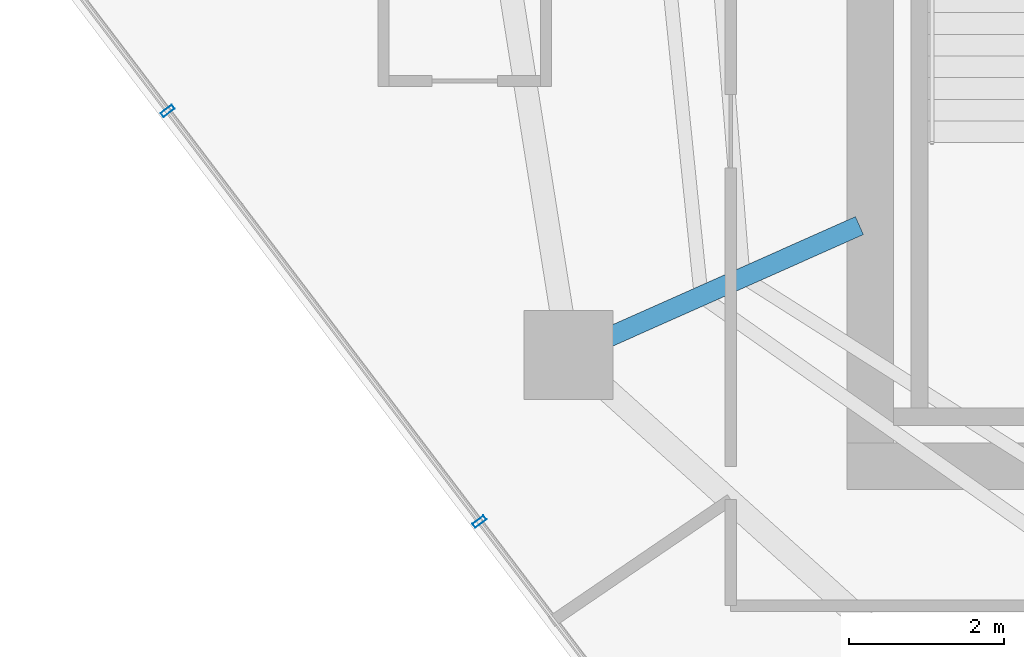
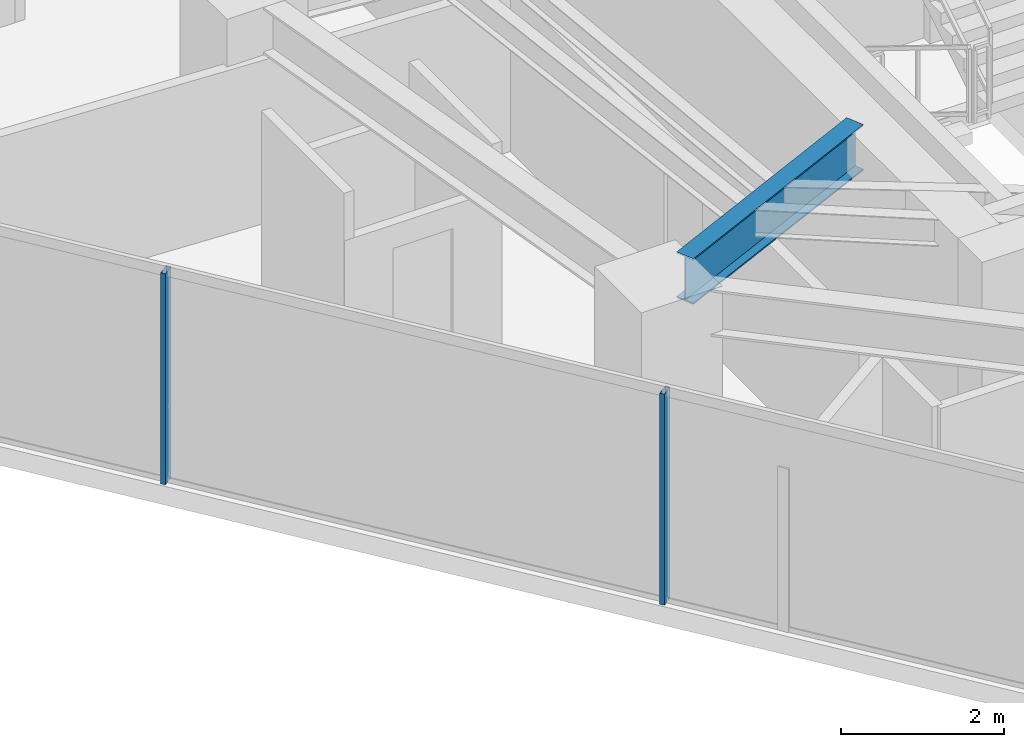
# One storey, part 7 of 30: 2 members, 1 beam, 1 element without a shape of its own.
"""IFC4 building model written with IfcOpenShell, lengths in metres."""

from ifc_helpers import new_model, si_unit, direction, frame, origin, origin_2d, place, context, subcontext, project, spatial, hollow_rectangle, i_section, extrude, material, layer, layer_set, material_profile, profile_set, type_object, element, aggregate, save


model = new_model("IFC4")

# Units and contexts
model_context = context("Model", 3, precision=1e-05, world=origin(), true_north=direction((0.0, 1.0)))
body_context = subcontext(model_context, "Body", "Model", "MODEL_VIEW")
ifc_project = project(units=[si_unit("LENGTHUNIT", "METRE"), si_unit("AREAUNIT", "SQUARE_METRE"), si_unit("VOLUMEUNIT", "CUBIC_METRE"), si_unit("PLANEANGLEUNIT", "RADIAN"), si_unit("MASSUNIT", "GRAM", prefix="KILO")], contexts=[model_context])

# Site, building, storey
site_placement = place(None, origin())
site = spatial("IfcSite", under=ifc_project, at=site_placement, CompositionType="ELEMENT")
building_placement = place(site_placement, origin())
building = spatial("IfcBuilding", under=site, at=building_placement, Name="Qarnah Convention Tower", CompositionType="ELEMENT")
storey_placement = place(building_placement, frame((0.0, 0.0, 93.60009765625)))
storey = spatial("IfcBuildingStorey", under=building, at=storey_placement, Name="L24", CompositionType="ELEMENT", Elevation=93.60009765625)

# Beam
ifc_material_1 = material(Name="Structural steel S355JR", Category="steel")
ifc_material_profile_1 = material_profile(ifc_material_1, i_section(OverallWidth=0.25390625, OverallDepth=0.68798828125, WebThickness=0.012939453125, FlangeThickness=0.02099609375, at=origin_2d()), Name="W690X152")
ifc_profile_set_1 = profile_set([ifc_material_profile_1], Name="Structural steel S355JR")
beam_type = type_object("IfcBeamType", Name="BM-RAD-W690", PredefinedType="BEAM", material=ifc_profile_set_1)
beam_placement = place(storey_placement, frame((26.6630859375, 21.708984375, 2.825927734375), z_axis=(-0.913588053958, -0.4066409567, 0.0), x_axis=(0.4066409567, -0.913588053958, 0.0)))
element("IfcBeam", 1, at=beam_placement, inside=storey, type_object=beam_type, Name="L24 beam BM-L24-RAD-06", PredefinedType="BEAM", context=body_context, shape_type="SweptSolid", body=[
    extrude(i_section(OverallWidth=0.25390625, OverallDepth=0.68798828125, WebThickness=0.012939453125, FlangeThickness=0.02099609375, at=origin_2d()), origin(), (0.0, 0.0, 1.0), 3.560791015625),
])

# Curtain wall, members
ifc_material_2 = material(Name="Tempered Low-E dark glass", Category="glass")
ifc_layer = layer(ifc_material_2, 0.169921875)
ifc_layer_set = layer_set([ifc_layer], Name="Tempered Low-E dark glass")
curtain_wall_type = type_object("IfcCurtainWallType", Name="CWS-02", PredefinedType="NOTDEFINED", material=ifc_layer_set)
curtain_wall_placement = place(storey_placement, origin())
curtain_wall = element("IfcCurtainWall", 2, at=curtain_wall_placement, inside=storey, type_object=curtain_wall_type, Name="L24 unitised curtain wall CW-L24-F2", PredefinedType="NOTDEFINED")
ifc_material_3 = material(Name="Black anodised aluminium", Category="aluminium")
ifc_material_profile_2 = material_profile(ifc_material_3, hollow_rectangle(XDim=0.06494140625, YDim=0.179931640625, WallThickness=0.00390625, at=origin_2d()), Name="MUL-65X180")
ifc_profile_set_2 = profile_set([ifc_material_profile_2], Name="Black anodised aluminium")
member_type = type_object("IfcMemberType", Name="MUL-T2", PredefinedType="MULLION", material=ifc_profile_set_2)
member_1_placement = place(storey_placement, frame((21.7548828125, 17.885498046875, 0.0), z_axis=(0.0, 0.0, 1.0), x_axis=(-0.604606608051, 0.796524230329, 0.0)))
member_1 = element("IfcMember", 3, at=member_1_placement, type_object=member_type, Name="CW-L24-F2 mullion 4", PredefinedType="MULLION", context=body_context, shape_type="SweptSolid", body=[
    extrude(hollow_rectangle(XDim=0.06494140625, YDim=0.179931640625, WallThickness=0.00390625, at=origin_2d()), origin(), (0.0, 0.0, 1.0), 3.169921875),
])
member_2_placement = place(storey_placement, frame((17.727294921875, 23.191162109375, 0.0), z_axis=(0.0, 0.0, 1.0), x_axis=(-0.604606608051, 0.796524230329, 0.0)))
member_2 = element("IfcMember", 4, at=member_2_placement, type_object=member_type, Name="CW-L24-F2 mullion 5", PredefinedType="MULLION", context=body_context, shape_type="SweptSolid", body=[
    extrude(hollow_rectangle(XDim=0.06494140625, YDim=0.179931640625, WallThickness=0.00390625, at=origin_2d()), origin(), (0.0, 0.0, 1.0), 3.169921875),
])
aggregate(curtain_wall, [member_1, member_2])

save(model, "model.ifc")
